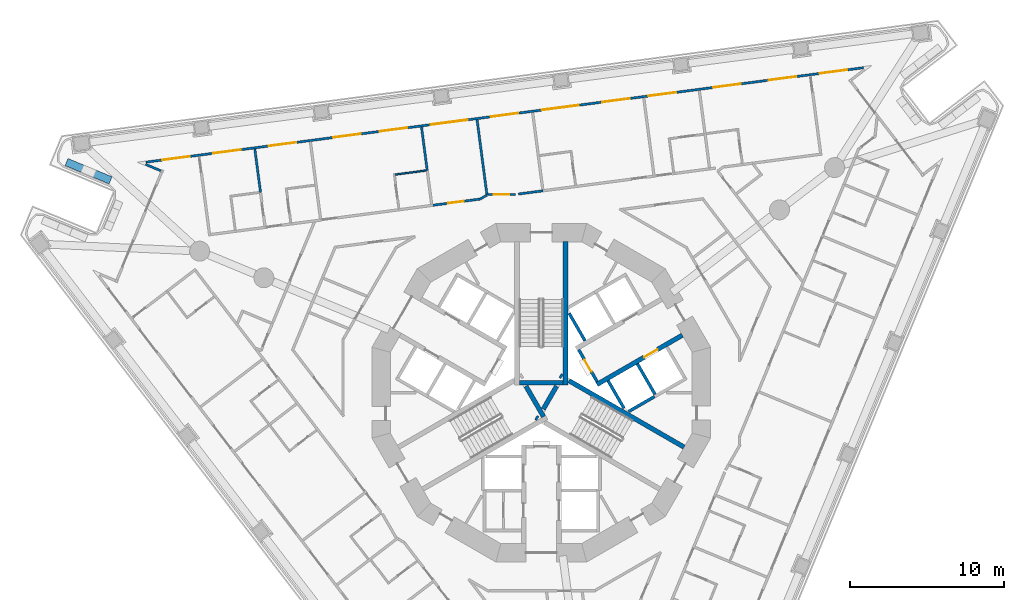
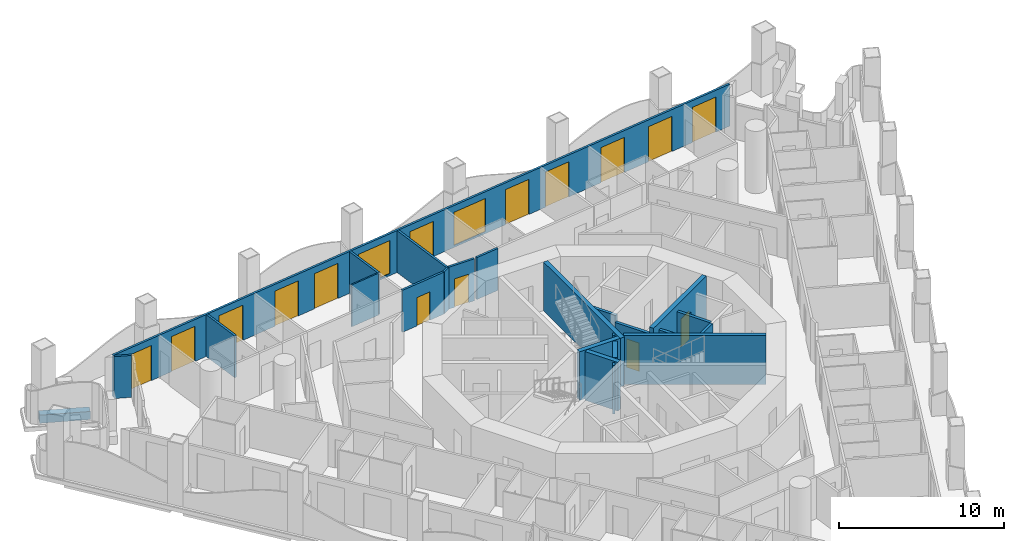
# One storey, part 8 of 19: 24 walls, 15 doors, 2 windows, 17 openings.
"""IFC4 building model written with IfcOpenShell, lengths in metres."""

import ifcopenshell
import ifcopenshell.guid

model = None  # the IFC model being written
_history = None  # IfcOwnerHistory: only IFC2X3 demands one
_inside = {}  # id of a spatial element -> (the spatial element, [elements in it])
_under = {}  # id of a project, library or spatial element -> (it, [spatial elements below it])
_declared = {}  # id of a project -> (the project, [libraries it declares])
_typed = {}  # id of a type object -> (the type object, [elements of that type])
_made_of = {}  # id of a material, layer set ... -> (it, [elements and type objects made of it])


def new_model(schema):
    """Start an empty IFC model of exactly this schema.

    Asked for "IFC4X3", IfcOpenShell would pick the latest addendum, in which some entities
    have other attributes; the version numbers below select the first issue.
    IFC2X3 requires an IfcOwnerHistory on every rooted entity: one is made here for all.
    """
    global model, _history
    if schema == "IFC4X3":
        model = ifcopenshell.file(schema_version=(4, 3, 0, 0))
    else:
        model = ifcopenshell.file(schema=schema)
    _inside.clear()
    _under.clear()
    _declared.clear()
    _typed.clear()
    _made_of.clear()
    _history = None
    if model.schema == "IFC2X3":
        org = make("IfcOrganization", Name="unknown")
        user = make(
            "IfcPersonAndOrganization",
            ThePerson=make("IfcPerson", FamilyName="unknown"),
            TheOrganization=org,
        )
        app = make(
            "IfcApplication",
            ApplicationDeveloper=org,
            Version="unknown",
            ApplicationFullName="unknown",
            ApplicationIdentifier="unknown",
        )
        _history = make(
            "IfcOwnerHistory",
            OwningUser=user,
            OwningApplication=app,
            ChangeAction="ADDED",
            CreationDate=0,
        )
    return model


def make(cls, **values):
    """One entity of the class cls with the attributes given. An attribute that is None is left unset."""
    return model.create_entity(
        cls, **{name: value for name, value in values.items() if value is not None}
    )


def rooted(cls, **values):
    """An entity with a GlobalId (a new one), such as an element, a storey or a relation."""
    return make(cls, GlobalId=ifcopenshell.guid.new(), OwnerHistory=_history, **values)


def si_unit(unit_type, name, prefix=None):
    """IfcSIUnit, for example si_unit("LENGTHUNIT", "METRE", prefix="MILLI")."""
    return make("IfcSIUnit", UnitType=unit_type, Prefix=prefix, Name=name)


def assignment(units):
    """IfcUnitAssignment: the units of a project."""
    return None if units is None else make("IfcUnitAssignment", Units=units)


def point(xyz):
    """IfcCartesianPoint."""
    return None if xyz is None else make("IfcCartesianPoint", Coordinates=xyz)


def direction(xyz):
    """IfcDirection."""
    return None if xyz is None else make("IfcDirection", DirectionRatios=xyz)


def frame(location, z_axis=None, x_axis=None):
    """IfcAxis2Placement3D, a coordinate frame: its origin and axes. An axis left out is left unset."""
    return make(
        "IfcAxis2Placement3D",
        Location=point(location),
        Axis=direction(z_axis),
        RefDirection=direction(x_axis),
    )


def frame_2d(location, x_axis=None):
    """IfcAxis2Placement2D, a coordinate frame in the plane: its origin and x axis."""
    return make(
        "IfcAxis2Placement2D", Location=point(location), RefDirection=direction(x_axis)
    )


def origin():
    """The frame at (0, 0, 0) with its axes left unset."""
    return frame((0.0, 0.0, 0.0))


def place(relative_to, where):
    """IfcLocalPlacement: puts the frame where relative to a parent placement (None: the world)."""
    return make(
        "IfcLocalPlacement", PlacementRelTo=relative_to, RelativePlacement=where
    )


def context(
    kind, dimensions, precision=None, world=None, true_north=None, identifier=None
):
    """IfcGeometricRepresentationContext, for example the 3D "Model" context."""
    return make(
        "IfcGeometricRepresentationContext",
        ContextIdentifier=identifier,
        ContextType=kind,
        CoordinateSpaceDimension=dimensions,
        Precision=precision,
        WorldCoordinateSystem=world,
        TrueNorth=true_north,
    )


def subcontext(parent, identifier, kind, view, scale=None):
    """IfcGeometricRepresentationSubContext, for example "Body" below "Model"."""
    return make(
        "IfcGeometricRepresentationSubContext",
        ContextIdentifier=identifier,
        ContextType=kind,
        ParentContext=parent,
        TargetScale=scale,
        TargetView=view,
    )


def project(units=None, contexts=None):
    """IfcProject with its units and contexts."""
    return rooted(
        "IfcProject",
        Name="project",
        RepresentationContexts=contexts,
        UnitsInContext=assignment(units),
    )


def spatial(cls, under=None, at=None, **own):
    """A site, building, storey or space (cls), placed at a placement, below another one or the project."""
    s = rooted(cls, ObjectPlacement=at, **own)
    if under is not None:
        _under.setdefault(under.id(), (under, []))[1].append(s)
    return s


def polyline(points):
    """IfcPolyline through the points."""
    return make("IfcPolyline", Points=[point(p) for p in points])


def profile(cls, at=None, kind="AREA", **sizes):
    """A parametric profile (cls). Its sizes go by their IFC names, for example OverallWidth=200.0."""
    return make(cls, ProfileType=kind, Position=at, **sizes)


def rectangle(**sizes):
    """IfcRectangleProfileDef."""
    return profile("IfcRectangleProfileDef", **sizes)


def outline(outer, holes=None, kind="AREA"):
    """IfcArbitraryClosedProfileDef: a profile drawn as a closed curve; with holes, ...WithVoids."""
    if holes is None:
        return make("IfcArbitraryClosedProfileDef", ProfileType=kind, OuterCurve=outer)
    return make(
        "IfcArbitraryProfileDefWithVoids",
        ProfileType=kind,
        OuterCurve=outer,
        InnerCurves=holes,
    )


def extrude(swept, where, along, depth):
    """IfcExtrudedAreaSolid: the profile swept, set in the frame where, extruded along a direction by depth."""
    return make(
        "IfcExtrudedAreaSolid",
        SweptArea=swept,
        Position=where,
        ExtrudedDirection=direction(along),
        Depth=depth,
    )


def shape(context_of_items, identifier, shape_type, items):
    """IfcShapeRepresentation: the items that make up one representation, for example the "Body"."""
    return make(
        "IfcShapeRepresentation",
        ContextOfItems=context_of_items,
        RepresentationIdentifier=identifier,
        RepresentationType=shape_type,
        Items=items,
    )


def material(Name=None, Category=None):
    """IfcMaterial."""
    return make("IfcMaterial", Name=Name, Category=Category)


def layer(
    of_material, thickness, ventilated=None, Name=None, Category=None, Priority=None
):
    """IfcMaterialLayer: one layer of a wall or slab, of a material (None: an air gap)."""
    return make(
        "IfcMaterialLayer",
        Material=of_material,
        LayerThickness=thickness,
        IsVentilated=ventilated,
        Name=Name,
        Category=Category,
        Priority=Priority,
    )


def layer_set(layers, Name=None):
    """IfcMaterialLayerSet."""
    return make("IfcMaterialLayerSet", MaterialLayers=layers, LayerSetName=Name)


def made_of(thing, what):
    """Note that an element or type object is made of a material, layer set ...; save() writes the relation."""
    if what is not None:
        _made_of.setdefault(what.id(), (what, []))[1].append(thing)
    return thing


def type_object(cls, material=None, **own):
    """A type object (cls), such as IfcWallType, which elements share."""
    return made_of(rooted(cls, **own), material)


def element(
    cls,
    number,
    at=None,
    inside=None,
    cuts=None,
    type_object=None,
    material=None,
    context=None,
    identifier="Body",
    shape_type=None,
    held_by="IfcProductDefinitionShape",
    body=None,
    shapes=None,
    **own,
):
    """One element of the class cls, such as IfcWall. Its Tag is "e" and its number.

    at: its placement. inside: the storey or other place that contains it. cuts: it is an
    opening in that element (IfcRelVoidsElement). A single representation is given by context,
    identifier, shape_type and body (its items); several are given by shapes. held_by: the class
    of the entity that holds the representations. save() writes the other relations.
    """
    e = rooted(cls, Tag="e%d" % number, ObjectPlacement=at, **own)
    if body is not None:
        shapes = [shape(context, identifier, shape_type, body)]
    if shapes is not None:
        e.Representation = make(held_by, Representations=shapes)
    if inside is not None:
        _inside.setdefault(inside.id(), (inside, []))[1].append(e)
    if cuts is not None:
        rooted(
            "IfcRelVoidsElement", RelatingBuildingElement=cuts, RelatedOpeningElement=e
        )
    if type_object is not None:
        _typed.setdefault(type_object.id(), (type_object, []))[1].append(e)
    return made_of(e, material)


def fill(opening, filler):
    """IfcRelFillsElement: the door or window that sits in an opening."""
    return rooted(
        "IfcRelFillsElement",
        RelatingOpeningElement=opening,
        RelatedBuildingElement=filler,
    )


def aggregate(whole, parts):
    """IfcRelAggregates: a whole, such as a stair, and the parts it consists of."""
    return rooted("IfcRelAggregates", RelatingObject=whole, RelatedObjects=parts)


def save(model, path):
    """Write the relations noted so far, then the file.

    IfcRelAggregates (storeys below a building ...), IfcRelContainedInSpatialStructure (elements
    in a storey), IfcRelDefinesByType, IfcRelAssociatesMaterial and IfcRelDeclares: one each for
    every whole, place, type object, material and project.
    """
    for whole, parts in _under.values():
        aggregate(whole, parts)
    for where, things in _inside.values():
        rooted(
            "IfcRelContainedInSpatialStructure",
            RelatedElements=things,
            RelatingStructure=where,
        )
    for kind, things in _typed.values():
        rooted("IfcRelDefinesByType", RelatedObjects=things, RelatingType=kind)
    for what, things in _made_of.values():
        rooted("IfcRelAssociatesMaterial", RelatedObjects=things, RelatingMaterial=what)
    for by, libraries in _declared.values():
        rooted("IfcRelDeclares", RelatingContext=by, RelatedDefinitions=libraries)
    model.write(path)


model = new_model("IFC4")

# Units and contexts
model_context = context("Model", 3, precision=1e-05, world=origin(), true_north=direction((0.0, 1.0)))
body_context = subcontext(model_context, "Body", "Model", "MODEL_VIEW")
ifc_project = project(units=[si_unit("LENGTHUNIT", "METRE"), si_unit("AREAUNIT", "SQUARE_METRE"), si_unit("VOLUMEUNIT", "CUBIC_METRE"), si_unit("PLANEANGLEUNIT", "RADIAN"), si_unit("MASSUNIT", "GRAM", prefix="KILO")], contexts=[model_context])

# Site, building, storey
site_placement = place(None, origin())
site = spatial("IfcSite", under=ifc_project, at=site_placement, CompositionType="ELEMENT")
building_placement = place(site_placement, origin())
building = spatial("IfcBuilding", under=site, at=building_placement, Name="Trine Commons Tower", CompositionType="ELEMENT")
storey_placement = place(building_placement, frame((0.0, 0.0, 79.199951171875)))
storey = spatial("IfcBuildingStorey", under=building, at=storey_placement, Name="L19", CompositionType="ELEMENT", Elevation=79.199951171875)

# Wall
ifc_material_1 = material(Name="Aluminium-framed insulated wall panel", Category="aluminium")
ifc_layer_1 = layer(ifc_material_1, 0.14990234375)
ifc_layer_set_1 = layer_set([ifc_layer_1], Name="Aluminium-framed insulated wall panel")
wall_type_1 = type_object("IfcWallType", Name="Glazed frame wall 150, EI 60", PredefinedType="SOLIDWALL", material=ifc_layer_set_1)
wall_1_placement = place(storey_placement, frame((55.376220703125, 76.883056640625, 0.0), z_axis=(0.0, 0.0, 1.0), x_axis=(-0.923901801611, 0.382629665579, 0.0)))
element("IfcWall", 1, at=wall_1_placement, inside=storey, type_object=wall_type_1, Name="Glazed frame wall R3", PredefinedType="SOLIDWALL", context=body_context, shape_type="SweptSolid", body=[
    extrude(outline(polyline([(0.110107421875, 0.074951171875), (0.110107421875, -0.074951171875), (1.19580078125, -0.074951171875), (1.19580078125, 0.074951171875), (0.110107421875, 0.074951171875)])), origin(), (0.0, 0.0, 1.0), 3.10009765625),
])

# Wall, openings, windows, doors
wall_2_placement = place(storey_placement, frame((54.142333984375, 77.464599609375, 0.0), z_axis=(0.0, 0.0, 1.0), x_axis=(0.991444696532, 0.130527444308, 0.0)))
wall_2 = element("IfcWall", 2, at=wall_2_placement, inside=storey, type_object=wall_type_1, Name="Glazed frame wall F1", PredefinedType="SOLIDWALL", context=body_context, shape_type="SweptSolid", body=[
    extrude(outline(polyline([(0.1494140625, 0.074951171875), (0.1494140625, -0.074951171875), (47.216796875, -0.074951171875), (47.216796875, 0.074951171875), (0.1494140625, 0.074951171875)])), origin(), (0.0, 0.0, 1.0), 3.10009765625),
])
opening_1_placement = place(wall_2_placement, frame((1.2216796875, 0.0, 0.0)))
opening_1 = element("IfcOpeningElement", 3, at=opening_1_placement, cuts=wall_2, Name="Opening BD-2F1-01", PredefinedType="OPENING", context=body_context, shape_type="SweptSolid", body=[
    extrude(rectangle(XDim=1.800048828125, YDim=2.60009765625, at=frame_2d((0.89990234375, 1.300048828125))), frame((0.0, 0.0849609375, 0.0), z_axis=(0.0, -1.0, 0.0), x_axis=(1.0, 0.0, 0.0)), (0.0, 0.0, 1.0), 0.169921875),
])
opening_2_placement = place(wall_2_placement, frame((4.5654296875, 0.0, 0.0)))
opening_2 = element("IfcOpeningElement", 4, at=opening_2_placement, cuts=wall_2, Name="Opening BD-2F1-02", PredefinedType="OPENING", context=body_context, shape_type="SweptSolid", body=[
    extrude(rectangle(XDim=1.800048828125, YDim=2.60009765625, at=frame_2d((0.89990234375, 1.300048828125))), frame((0.0, 0.0849609375, 0.0), z_axis=(0.0, -1.0, 0.0), x_axis=(1.0, 0.0, 0.0)), (0.0, 0.0, 1.0), 0.169921875),
])
opening_3_placement = place(wall_2_placement, frame((8.208984375, 0.0, 0.0)))
opening_3 = element("IfcOpeningElement", 5, at=opening_3_placement, cuts=wall_2, Name="Opening BD-2F1-03", PredefinedType="OPENING", context=body_context, shape_type="SweptSolid", body=[
    extrude(rectangle(XDim=1.800048828125, YDim=2.60009765625, at=frame_2d((0.89990234375, 1.300048828125))), frame((0.0, 0.0849609375, 0.0), z_axis=(0.0, -1.0, 0.0), x_axis=(1.0, 0.0, 0.0)), (0.0, 0.0, 1.0), 0.169921875),
])
opening_4_placement = place(wall_2_placement, frame((12.45263671875, 0.0, 0.0)))
opening_4 = element("IfcOpeningElement", 6, at=opening_4_placement, cuts=wall_2, Name="Opening BD-2F1-04", PredefinedType="OPENING", context=body_context, shape_type="SweptSolid", body=[
    extrude(rectangle(XDim=1.800048828125, YDim=2.60009765625, at=frame_2d((0.89990234375, 1.300048828125))), frame((0.0, 0.0849609375, 0.0), z_axis=(0.0, -1.0, 0.0), x_axis=(1.0, 0.0, 0.0)), (0.0, 0.0, 1.0), 0.169921875),
])
opening_5_placement = place(wall_2_placement, frame((15.49609375, 0.0, 0.0)))
opening_5 = element("IfcOpeningElement", 7, at=opening_5_placement, cuts=wall_2, Name="Opening BD-2F1-05", PredefinedType="OPENING", context=body_context, shape_type="SweptSolid", body=[
    extrude(rectangle(XDim=1.800048828125, YDim=2.60009765625, at=frame_2d((0.89990234375, 1.300048828125))), frame((0.0, 0.0849609375, 0.0), z_axis=(0.0, -1.0, 0.0), x_axis=(1.0, 0.0, 0.0)), (0.0, 0.0, 1.0), 0.169921875),
])
opening_6_placement = place(wall_2_placement, frame((18.83984375, 0.0, 0.14990234375)))
opening_6 = element("IfcOpeningElement", 8, at=opening_6_placement, cuts=wall_2, Name="Opening W-2F1-06", PredefinedType="OPENING", context=body_context, shape_type="SweptSolid", body=[
    extrude(rectangle(XDim=2.39990234375, YDim=2.449951171875, at=frame_2d((1.199951171875, 1.22509765625))), frame((0.0, 0.0849609375, 0.0), z_axis=(0.0, -1.0, 0.0), x_axis=(1.0, 0.0, 0.0)), (0.0, 0.0, 1.0), 0.169921875),
])
opening_7_placement = place(wall_2_placement, frame((22.783447265625, 0.0, 0.0)))
opening_7 = element("IfcOpeningElement", 9, at=opening_7_placement, cuts=wall_2, Name="Opening BD-2F1-07", PredefinedType="OPENING", context=body_context, shape_type="SweptSolid", body=[
    extrude(rectangle(XDim=1.800048828125, YDim=2.60009765625, at=frame_2d((0.89990234375, 1.300048828125))), frame((0.0, 0.0849609375, 0.0), z_axis=(0.0, -1.0, 0.0), x_axis=(1.0, 0.0, 0.0)), (0.0, 0.0, 1.0), 0.169921875),
])
opening_8_placement = place(wall_2_placement, frame((26.126953125, 0.0, 0.14990234375)))
opening_8 = element("IfcOpeningElement", 10, at=opening_8_placement, cuts=wall_2, Name="Opening W-2F1-08", PredefinedType="OPENING", context=body_context, shape_type="SweptSolid", body=[
    extrude(rectangle(XDim=2.39990234375, YDim=2.449951171875, at=frame_2d((1.199951171875, 1.22509765625))), frame((0.0, 0.0849609375, 0.0), z_axis=(0.0, -1.0, 0.0), x_axis=(1.0, 0.0, 0.0)), (0.0, 0.0, 1.0), 0.169921875),
])
opening_9_placement = place(wall_2_placement, frame((30.070556640625, 0.0, 0.0)))
opening_9 = element("IfcOpeningElement", 11, at=opening_9_placement, cuts=wall_2, Name="Opening BD-2F1-09", PredefinedType="OPENING", context=body_context, shape_type="SweptSolid", body=[
    extrude(rectangle(XDim=1.800048828125, YDim=2.60009765625, at=frame_2d((0.89990234375, 1.300048828125))), frame((0.0, 0.0849609375, 0.0), z_axis=(0.0, -1.0, 0.0), x_axis=(1.0, 0.0, 0.0)), (0.0, 0.0, 1.0), 0.169921875),
])
opening_10_placement = place(wall_2_placement, frame((33.1142578125, 0.0, 0.0)))
opening_10 = element("IfcOpeningElement", 12, at=opening_10_placement, cuts=wall_2, Name="Opening BD-2F1-10", PredefinedType="OPENING", context=body_context, shape_type="SweptSolid", body=[
    extrude(rectangle(XDim=1.800048828125, YDim=2.60009765625, at=frame_2d((0.89990234375, 1.300048828125))), frame((0.0, 0.0849609375, 0.0), z_axis=(0.0, -1.0, 0.0), x_axis=(1.0, 0.0, 0.0)), (0.0, 0.0, 1.0), 0.169921875),
])
opening_11_placement = place(wall_2_placement, frame((37.35791015625, 0.0, 0.0)))
opening_11 = element("IfcOpeningElement", 13, at=opening_11_placement, cuts=wall_2, Name="Opening BD-2F1-11", PredefinedType="OPENING", context=body_context, shape_type="SweptSolid", body=[
    extrude(rectangle(XDim=1.800048828125, YDim=2.60009765625, at=frame_2d((0.89990234375, 1.300048828125))), frame((0.0, 0.0849609375, 0.0), z_axis=(0.0, -1.0, 0.0), x_axis=(1.0, 0.0, 0.0)), (0.0, 0.0, 1.0), 0.169921875),
])
opening_12_placement = place(wall_2_placement, frame((41.00146484375, 0.0, 0.0)))
opening_12 = element("IfcOpeningElement", 14, at=opening_12_placement, cuts=wall_2, Name="Opening BD-2F1-12", PredefinedType="OPENING", context=body_context, shape_type="SweptSolid", body=[
    extrude(rectangle(XDim=1.800048828125, YDim=2.60009765625, at=frame_2d((0.89990234375, 1.300048828125))), frame((0.0, 0.0849609375, 0.0), z_axis=(0.0, -1.0, 0.0), x_axis=(1.0, 0.0, 0.0)), (0.0, 0.0, 1.0), 0.169921875),
])
opening_13_placement = place(wall_2_placement, frame((44.344970703125, 0.0, 0.0)))
opening_13 = element("IfcOpeningElement", 15, at=opening_13_placement, cuts=wall_2, Name="Opening BD-2F1-13", PredefinedType="OPENING", context=body_context, shape_type="SweptSolid", body=[
    extrude(rectangle(XDim=1.800048828125, YDim=2.60009765625, at=frame_2d((0.89990234375, 1.300048828125))), frame((0.0, 0.0849609375, 0.0), z_axis=(0.0, -1.0, 0.0), x_axis=(1.0, 0.0, 0.0)), (0.0, 0.0, 1.0), 0.169921875),
])
ifc_material_2 = material(Name="Anodised aluminium frame with double glazing", Category="aluminium")
window_type = type_object("IfcWindowType", Name="Fixed window 2400x2450", PartitioningType="SINGLE_PANEL", PredefinedType="WINDOW", material=ifc_material_2)
window_1_placement = place(opening_6_placement, origin())
window_1 = element("IfcWindow", 16, at=window_1_placement, inside=storey, type_object=window_type, Name="Window F1 6", OverallHeight=2.449951171875, OverallWidth=2.39990234375, PartitioningType="SINGLE_PANEL", PredefinedType="WINDOW", context=body_context, shape_type="SweptSolid", body=[
    extrude(rectangle(XDim=2.39990234375, YDim=2.449951171875, at=frame_2d((1.199951171875, 1.22509765625))), frame((0.0, 0.030029296875, 0.0), z_axis=(0.0, -1.0, 0.0), x_axis=(1.0, 0.0, 0.0)), (0.0, 0.0, 1.0), 0.06005859375),
])
fill(opening_6, window_1)
window_2_placement = place(opening_8_placement, origin())
window_2 = element("IfcWindow", 17, at=window_2_placement, inside=storey, type_object=window_type, Name="Window F1 8", OverallHeight=2.449951171875, OverallWidth=2.39990234375, PartitioningType="SINGLE_PANEL", PredefinedType="WINDOW", context=body_context, shape_type="SweptSolid", body=[
    extrude(rectangle(XDim=2.39990234375, YDim=2.449951171875, at=frame_2d((1.199951171875, 1.22509765625))), frame((0.0, 0.030029296875, 0.0), z_axis=(0.0, -1.0, 0.0), x_axis=(1.0, 0.0, 0.0)), (0.0, 0.0, 1.0), 0.06005859375),
])
fill(opening_8, window_2)
door_type_1 = type_object("IfcDoorType", Name="Sliding loggia door 1800x2600", OperationType="SLIDING_TO_LEFT", PredefinedType="DOOR", material=ifc_material_2)
door_1_placement = place(opening_1_placement, origin())
door_1 = element("IfcDoor", 18, at=door_1_placement, inside=storey, type_object=door_type_1, Name="Loggia door F1 1", OperationType="SLIDING_TO_LEFT", OverallHeight=2.60009765625, OverallWidth=1.800048828125, PredefinedType="DOOR", context=body_context, shape_type="SweptSolid", body=[
    extrude(rectangle(XDim=1.800048828125, YDim=2.60009765625, at=frame_2d((0.89990234375, 1.300048828125))), frame((0.0, 0.02490234375, 0.0), z_axis=(0.0, -1.0, 0.0), x_axis=(1.0, 0.0, 0.0)), (0.0, 0.0, 1.0), 0.050048828125),
])
fill(opening_1, door_1)
door_2_placement = place(opening_2_placement, origin())
door_2 = element("IfcDoor", 19, at=door_2_placement, inside=storey, type_object=door_type_1, Name="Loggia door F1 2", OperationType="SLIDING_TO_LEFT", OverallHeight=2.60009765625, OverallWidth=1.800048828125, PredefinedType="DOOR", context=body_context, shape_type="SweptSolid", body=[
    extrude(rectangle(XDim=1.800048828125, YDim=2.60009765625, at=frame_2d((0.89990234375, 1.300048828125))), frame((0.0, 0.02490234375, 0.0), z_axis=(0.0, -1.0, 0.0), x_axis=(1.0, 0.0, 0.0)), (0.0, 0.0, 1.0), 0.050048828125),
])
fill(opening_2, door_2)
door_3_placement = place(opening_3_placement, origin())
door_3 = element("IfcDoor", 20, at=door_3_placement, inside=storey, type_object=door_type_1, Name="Loggia door F1 3", OperationType="SLIDING_TO_LEFT", OverallHeight=2.60009765625, OverallWidth=1.800048828125, PredefinedType="DOOR", context=body_context, shape_type="SweptSolid", body=[
    extrude(rectangle(XDim=1.800048828125, YDim=2.60009765625, at=frame_2d((0.89990234375, 1.300048828125))), frame((0.0, 0.02490234375, 0.0), z_axis=(0.0, -1.0, 0.0), x_axis=(1.0, 0.0, 0.0)), (0.0, 0.0, 1.0), 0.050048828125),
])
fill(opening_3, door_3)
door_4_placement = place(opening_4_placement, origin())
door_4 = element("IfcDoor", 21, at=door_4_placement, inside=storey, type_object=door_type_1, Name="Loggia door F1 4", OperationType="SLIDING_TO_LEFT", OverallHeight=2.60009765625, OverallWidth=1.800048828125, PredefinedType="DOOR", context=body_context, shape_type="SweptSolid", body=[
    extrude(rectangle(XDim=1.800048828125, YDim=2.60009765625, at=frame_2d((0.89990234375, 1.300048828125))), frame((0.0, 0.02490234375, 0.0), z_axis=(0.0, -1.0, 0.0), x_axis=(1.0, 0.0, 0.0)), (0.0, 0.0, 1.0), 0.050048828125),
])
fill(opening_4, door_4)
door_5_placement = place(opening_5_placement, origin())
door_5 = element("IfcDoor", 22, at=door_5_placement, inside=storey, type_object=door_type_1, Name="Loggia door F1 5", OperationType="SLIDING_TO_LEFT", OverallHeight=2.60009765625, OverallWidth=1.800048828125, PredefinedType="DOOR", context=body_context, shape_type="SweptSolid", body=[
    extrude(rectangle(XDim=1.800048828125, YDim=2.60009765625, at=frame_2d((0.89990234375, 1.300048828125))), frame((0.0, 0.02490234375, 0.0), z_axis=(0.0, -1.0, 0.0), x_axis=(1.0, 0.0, 0.0)), (0.0, 0.0, 1.0), 0.050048828125),
])
fill(opening_5, door_5)
door_6_placement = place(opening_7_placement, origin())
door_6 = element("IfcDoor", 23, at=door_6_placement, inside=storey, type_object=door_type_1, Name="Loggia door F1 7", OperationType="SLIDING_TO_LEFT", OverallHeight=2.60009765625, OverallWidth=1.800048828125, PredefinedType="DOOR", context=body_context, shape_type="SweptSolid", body=[
    extrude(rectangle(XDim=1.800048828125, YDim=2.60009765625, at=frame_2d((0.89990234375, 1.300048828125))), frame((0.0, 0.02490234375, 0.0), z_axis=(0.0, -1.0, 0.0), x_axis=(1.0, 0.0, 0.0)), (0.0, 0.0, 1.0), 0.050048828125),
])
fill(opening_7, door_6)
door_7_placement = place(opening_9_placement, origin())
door_7 = element("IfcDoor", 24, at=door_7_placement, inside=storey, type_object=door_type_1, Name="Loggia door F1 9", OperationType="SLIDING_TO_LEFT", OverallHeight=2.60009765625, OverallWidth=1.800048828125, PredefinedType="DOOR", context=body_context, shape_type="SweptSolid", body=[
    extrude(rectangle(XDim=1.800048828125, YDim=2.60009765625, at=frame_2d((0.89990234375, 1.300048828125))), frame((0.0, 0.02490234375, 0.0), z_axis=(0.0, -1.0, 0.0), x_axis=(1.0, 0.0, 0.0)), (0.0, 0.0, 1.0), 0.050048828125),
])
fill(opening_9, door_7)
door_8_placement = place(opening_10_placement, origin())
door_8 = element("IfcDoor", 25, at=door_8_placement, inside=storey, type_object=door_type_1, Name="Loggia door F1 10", OperationType="SLIDING_TO_LEFT", OverallHeight=2.60009765625, OverallWidth=1.800048828125, PredefinedType="DOOR", context=body_context, shape_type="SweptSolid", body=[
    extrude(rectangle(XDim=1.800048828125, YDim=2.60009765625, at=frame_2d((0.89990234375, 1.300048828125))), frame((0.0, 0.02490234375, 0.0), z_axis=(0.0, -1.0, 0.0), x_axis=(1.0, 0.0, 0.0)), (0.0, 0.0, 1.0), 0.050048828125),
])
fill(opening_10, door_8)
door_9_placement = place(opening_11_placement, origin())
door_9 = element("IfcDoor", 26, at=door_9_placement, inside=storey, type_object=door_type_1, Name="Loggia door F1 11", OperationType="SLIDING_TO_LEFT", OverallHeight=2.60009765625, OverallWidth=1.800048828125, PredefinedType="DOOR", context=body_context, shape_type="SweptSolid", body=[
    extrude(rectangle(XDim=1.800048828125, YDim=2.60009765625, at=frame_2d((0.89990234375, 1.300048828125))), frame((0.0, 0.02490234375, 0.0), z_axis=(0.0, -1.0, 0.0), x_axis=(1.0, 0.0, 0.0)), (0.0, 0.0, 1.0), 0.050048828125),
])
fill(opening_11, door_9)
door_10_placement = place(opening_12_placement, origin())
door_10 = element("IfcDoor", 27, at=door_10_placement, inside=storey, type_object=door_type_1, Name="Loggia door F1 12", OperationType="SLIDING_TO_LEFT", OverallHeight=2.60009765625, OverallWidth=1.800048828125, PredefinedType="DOOR", context=body_context, shape_type="SweptSolid", body=[
    extrude(rectangle(XDim=1.800048828125, YDim=2.60009765625, at=frame_2d((0.89990234375, 1.300048828125))), frame((0.0, 0.02490234375, 0.0), z_axis=(0.0, -1.0, 0.0), x_axis=(1.0, 0.0, 0.0)), (0.0, 0.0, 1.0), 0.050048828125),
])
fill(opening_12, door_10)
door_11_placement = place(opening_13_placement, origin())
door_11 = element("IfcDoor", 28, at=door_11_placement, inside=storey, type_object=door_type_1, Name="Loggia door F1 13", OperationType="SLIDING_TO_LEFT", OverallHeight=2.60009765625, OverallWidth=1.800048828125, PredefinedType="DOOR", context=body_context, shape_type="SweptSolid", body=[
    extrude(rectangle(XDim=1.800048828125, YDim=2.60009765625, at=frame_2d((0.89990234375, 1.300048828125))), frame((0.0, 0.02490234375, 0.0), z_axis=(0.0, -1.0, 0.0), x_axis=(1.0, 0.0, 0.0)), (0.0, 0.0, 1.0), 0.050048828125),
])
fill(opening_13, door_11)

# Wall, opening, door
ifc_material_3 = material(Name="Fire-rated gypsum shaft wall system")
ifc_layer_2 = layer(ifc_material_3, 0.199951171875)
ifc_layer_set_2 = layer_set([ifc_layer_2], Name="Fire-rated gypsum shaft wall system")
wall_type_2 = type_object("IfcWallType", Name="Lobby end wall 200 mm, EI 120", PredefinedType="PARTITIONING", material=ifc_layer_set_2)
wall_3_placement = place(storey_placement, frame((83.631103515625, 63.2109375, 0.0), z_axis=(0.0, 0.0, 1.0), x_axis=(-0.50012165622, 0.865955154139, 0.0)))
wall_3 = element("IfcWall", 29, at=wall_3_placement, inside=storey, type_object=wall_type_2, Name="Lobby end wall L19", PredefinedType="PARTITIONING", context=body_context, shape_type="SweptSolid", body=[
    extrude(rectangle(XDim=2.39990234375, YDim=0.199951171875, at=frame_2d((1.199951171875, 0.0))), origin(), (0.0, 0.0, 1.0), 3.10009765625),
])
opening_14_placement = place(wall_3_placement, frame((0.749755859375, 0.0, 0.0)))
opening_14 = element("IfcOpeningElement", 30, at=opening_14_placement, cuts=wall_3, Name="Opening K06.05", PredefinedType="OPENING", context=body_context, shape_type="SweptSolid", body=[
    extrude(rectangle(XDim=0.89990234375, YDim=2.10009765625, at=frame_2d((0.449951171875, 1.050048828125))), frame((0.0, 0.10986328125, 0.0), z_axis=(0.0, -1.0, 0.0), x_axis=(1.0, 0.0, 0.0)), (0.0, 0.0, 1.0), 0.219970703125),
])
ifc_material_4 = material(Name="Steel door leaf, fire-rated", Category="steel")
door_type_2 = type_object("IfcDoorType", Name="Riser access door, single leaf 900 x 2100, FD60", OperationType="SINGLE_SWING_LEFT", PredefinedType="DOOR", material=ifc_material_4)
door_12_placement = place(opening_14_placement, frame((0.89990234375, 0.0, 0.0), z_axis=(0.0, 0.0, 1.0), x_axis=(-1.0, 0.0, 0.0)))
door_12 = element("IfcDoor", 31, at=door_12_placement, inside=storey, type_object=door_type_2, Name="Riser door, Electrical riser L19", OperationType="SINGLE_SWING_LEFT", OverallHeight=2.10009765625, OverallWidth=0.89990234375, PredefinedType="DOOR", context=body_context, shape_type="SweptSolid", body=[
    extrude(rectangle(XDim=0.89990234375, YDim=2.10009765625, at=frame_2d((0.449951171875, 1.050048828125))), frame((0.0, 0.02490234375, 0.0), z_axis=(0.0, -1.0, 0.0), x_axis=(1.0, 0.0, 0.0)), (0.0, 0.0, 1.0), 0.050048828125),
])
fill(opening_14, door_12)

# Wall
ifc_material_5 = material(Name="Planter trough, precast concrete C40/50", Category="concrete")
ifc_layer_3 = layer(ifc_material_5, 0.5)
ifc_layer_set_3 = layer_set([ifc_layer_3], Name="Planter trough, precast concrete C40/50")
wall_type_3 = type_object("IfcWallType", Name="Planter trough 500x600", PredefinedType="PARAPET", material=ifc_layer_set_3)
wall_4_placement = place(storey_placement, frame((51.99853515625, 76.306640625, 0.0), z_axis=(0.0, 0.0, 1.0), x_axis=(-0.923883411188, 0.382674068277, 0.0)))
element("IfcWall", 32, at=wall_4_placement, inside=storey, type_object=wall_type_3, Name="Planter 3", PredefinedType="PARAPET", context=body_context, shape_type="SweptSolid", body=[
    extrude(rectangle(XDim=3.099853515625, YDim=0.5, at=frame_2d((1.5498046875, 0.0))), origin(), (0.0, 0.0, 1.0), 0.60009765625),
])

# Wall, opening, door
ifc_material_6 = material(Name="Concrete C80/95", Category="concrete")
ifc_layer_4 = layer(ifc_material_6, 0.300048828125)
ifc_layer_set_4 = layer_set([ifc_layer_4], Name="Concrete C80/95")
wall_type_4 = type_object("IfcWallType", Name="RC shear wall 300 mm, C80/95", PredefinedType="SHEAR", material=ifc_layer_set_4)
wall_5_placement = place(storey_placement, frame((83.618896484375, 63.031005859375, 0.0), z_axis=(0.0, 0.0, 1.0), x_axis=(0.866032150378, 0.499988314375, 0.0)))
wall_5 = element("IfcWall", 33, at=wall_5_placement, inside=storey, type_object=wall_type_4, Name="Core cross wall SWA-06 L19", PredefinedType="SHEAR", context=body_context, shape_type="SweptSolid", body=[
    extrude(rectangle(XDim=6.412353515625, YDim=0.300048828125, at=frame_2d((3.2060546875, 0.0))), origin(), (0.0, 0.0, 1.0), 3.60009765625),
])
opening_15_placement = place(wall_5_placement, frame((3.55029296875, 0.0, 0.0)))
opening_15 = element("IfcOpeningElement", 34, at=opening_15_placement, cuts=wall_5, Name="Opening LD2", PredefinedType="OPENING", context=body_context, shape_type="SweptSolid", body=[
    extrude(rectangle(XDim=1.0, YDim=2.10009765625, at=frame_2d((0.5, 1.050048828125))), frame((0.0, 0.159912109375, 0.0), z_axis=(0.0, -1.0, 0.0), x_axis=(1.0, 0.0, 0.0)), (0.0, 0.0, 1.0), 0.320068359375),
])
ifc_material_7 = material(Name="Stainless steel sliding door leaves", Category="steel")
door_type_3 = type_object("IfcDoorType", Name="Lift landing door, centre-opening sliding 1000 x 2100, FD90", OperationType="DOUBLE_DOOR_SLIDING", PredefinedType="DOOR", material=ifc_material_7)
door_13_placement = place(opening_15_placement, origin())
door_13 = element("IfcDoor", 35, at=door_13_placement, inside=storey, type_object=door_type_3, Name="Lift landing door LR2 L19", OperationType="DOUBLE_DOOR_SLIDING", OverallHeight=2.10009765625, OverallWidth=1.0, PredefinedType="DOOR", context=body_context, shape_type="SweptSolid", body=[
    extrude(rectangle(XDim=1.0, YDim=2.10009765625, at=frame_2d((0.5, 1.050048828125))), frame((0.0, 0.02490234375, 0.0), z_axis=(0.0, -1.0, 0.0), x_axis=(1.0, 0.0, 0.0)), (0.0, 0.0, 1.0), 0.050048828125),
])
fill(opening_15, door_13)

# Walls
wall_6_placement = place(storey_placement, frame((79.0029296875, 62.926025390625, 0.0), z_axis=(0.0, 0.0, 1.0), x_axis=(0.499965247104, -0.866045467449, 0.0)))
element("IfcWall", 36, at=wall_6_placement, inside=storey, type_object=wall_type_4, Name="Core cross wall SWA-10 L19", PredefinedType="SHEAR", context=body_context, shape_type="SweptSolid", body=[
    extrude(rectangle(XDim=2.292236328125, YDim=0.300048828125, at=frame_2d((1.14599609375, 0.0))), origin(), (0.0, 0.0, 1.0), 3.60009765625),
])
wall_7_placement = place(storey_placement, frame((79.64599609375, 60.885986328125, 0.0), z_axis=(0.0, 0.0, 1.0), x_axis=(0.867331893649, -0.497730234424, 0.0)))
element("IfcWall", 37, at=wall_7_placement, inside=storey, type_object=wall_type_4, Name="Core cross wall SWA-11 L19", PredefinedType="SHEAR", context=body_context, shape_type="SweptSolid", body=[
    extrude(rectangle(XDim=0.148681640625, YDim=0.300048828125, at=frame_2d((0.07421875, 0.0))), origin(), (0.0, 0.0, 1.0), 3.60009765625),
])
wall_8_placement = place(storey_placement, frame((80.1298828125, 61.424072265625, 0.0), z_axis=(0.0, 0.0, 1.0), x_axis=(0.500014901547, 0.866016800201, 0.0)))
element("IfcWall", 38, at=wall_8_placement, inside=storey, type_object=wall_type_4, Name="Core cross wall SWA-12 L19", PredefinedType="SHEAR", context=body_context, shape_type="SweptSolid", body=[
    extrude(rectangle(XDim=1.734375, YDim=0.300048828125, at=frame_2d((0.8671875, 0.0))), origin(), (0.0, 0.0, 1.0), 3.60009765625),
])
wall_9_placement = place(storey_placement, frame((81.220947265625, 63.614013671875, 0.0), z_axis=(0.0, 0.0, 1.0), x_axis=(0.867737973955, -0.497021939713, 0.0)))
element("IfcWall", 39, at=wall_9_placement, inside=storey, type_object=wall_type_4, Name="Core cross wall SWA-15 L19", PredefinedType="SHEAR", context=body_context, shape_type="SweptSolid", body=[
    extrude(rectangle(XDim=0.14892578125, YDim=0.300048828125, at=frame_2d((0.074462890625, 0.0))), origin(), (0.0, 0.0, 1.0), 3.60009765625),
])
wall_10_placement = place(storey_placement, frame((81.425048828125, 63.15087890625, 0.0), z_axis=(0.0, 0.0, 1.0), x_axis=(-1.0, 0.0, 0.0)))
element("IfcWall", 40, at=wall_10_placement, inside=storey, type_object=wall_type_4, Name="Core cross wall SWA-16 L19", PredefinedType="SHEAR", context=body_context, shape_type="SweptSolid", body=[
    extrude(rectangle(XDim=2.85009765625, YDim=0.300048828125, at=frame_2d((1.425048828125, 0.0))), origin(), (0.0, 0.0, 1.0), 3.60009765625),
])
wall_11_placement = place(storey_placement, frame((81.574951171875, 63.0009765625, 0.0), z_axis=(0.0, 0.0, 1.0), x_axis=(0.0, 1.0, 0.0)))
element("IfcWall", 41, at=wall_11_placement, inside=storey, type_object=wall_type_4, Name="Core cross wall SWA-17 L19", PredefinedType="SHEAR", context=body_context, shape_type="SweptSolid", body=[
    extrude(rectangle(XDim=9.31103515625, YDim=0.300048828125, at=frame_2d((4.655517578125, 0.0))), origin(), (0.0, 0.0, 1.0), 3.60009765625),
])
wall_12_placement = place(storey_placement, frame((81.800048828125, 63.280029296875, 0.0), z_axis=(0.0, 0.0, 1.0), x_axis=(0.865965399159, -0.500103916661, 0.0)))
element("IfcWall", 42, at=wall_12_placement, inside=storey, type_object=wall_type_4, Name="Core cross wall SWA-18 L19", PredefinedType="SHEAR", context=body_context, shape_type="SweptSolid", body=[
    extrude(rectangle(XDim=8.642333984375, YDim=0.300048828125, at=frame_2d((4.3212890625, 0.0))), origin(), (0.0, 0.0, 1.0), 3.60009765625),
])
ifc_layer_5 = layer(ifc_material_3, 0.199951171875)
ifc_layer_set_5 = layer_set([ifc_layer_5], Name="Fire-rated gypsum shaft wall system")
wall_type_5 = type_object("IfcWallType", Name="Shaft wall 200 mm, EI 120", PredefinedType="PARTITIONING", material=ifc_layer_set_5)
wall_13_placement = place(storey_placement, frame((82.843994140625, 65.8740234375, 0.0), z_axis=(0.0, 0.0, 1.0), x_axis=(-0.499865770674, 0.866102887253, 0.0)))
element("IfcWall", 43, at=wall_13_placement, inside=storey, type_object=wall_type_5, Name="Shaft wall L19", PredefinedType="PARTITIONING", context=body_context, shape_type="SweptSolid", body=[
    extrude(rectangle(XDim=2.064453125, YDim=0.199951171875, at=frame_2d((1.0322265625, 0.0))), origin(), (0.0, 0.0, 1.0), 3.10009765625),
])
wall_14_placement = place(storey_placement, frame((84.343994140625, 63.27587890625, 0.0), z_axis=(0.0, 0.0, 1.0), x_axis=(0.500271688072, -0.86586848777, 0.0)))
element("IfcWall", 44, at=wall_14_placement, inside=storey, type_object=wall_type_5, Name="Shaft wall L19", PredefinedType="PARTITIONING", context=body_context, shape_type="SweptSolid", body=[
    extrude(rectangle(XDim=2.064697265625, YDim=0.199951171875, at=frame_2d((1.0322265625, 0.0))), origin(), (0.0, 0.0, 1.0), 3.10009765625),
])
wall_15_placement = place(storey_placement, frame((85.675048828125, 61.27294921875, 0.0), z_axis=(0.0, 0.0, 1.0), x_axis=(0.865780634835, 0.500423712812, 0.0)))
element("IfcWall", 45, at=wall_15_placement, inside=storey, type_object=wall_type_5, Name="Shaft wall L19", PredefinedType="PARTITIONING", context=body_context, shape_type="SweptSolid", body=[
    extrude(rectangle(XDim=1.948486328125, YDim=0.199951171875, at=frame_2d((0.97412109375, 0.0))), origin(), (0.0, 0.0, 1.0), 3.10009765625),
])
wall_16_placement = place(storey_placement, frame((86.2490234375, 64.3759765625, 0.0), z_axis=(0.0, 0.0, 1.0), x_axis=(0.500136062276, -0.86594683394, 0.0)))
element("IfcWall", 46, at=wall_16_placement, inside=storey, type_object=wall_type_5, Name="Shaft wall L19", PredefinedType="PARTITIONING", context=body_context, shape_type="SweptSolid", body=[
    extrude(rectangle(XDim=2.299072265625, YDim=0.199951171875, at=frame_2d((1.1494140625, 0.0))), origin(), (0.0, 0.0, 1.0), 3.10009765625),
])
ifc_material_8 = material(Name="Gypsum plasterboard on steel stud", Category="steel")
ifc_layer_6 = layer(ifc_material_8, 0.14990234375)
ifc_layer_set_6 = layer_set([ifc_layer_6], Name="Gypsum plasterboard on steel stud")
wall_type_6 = type_object("IfcWallType", Name="Unit and corridor wall 150 mm, EI 60", PredefinedType="PARTITIONING", material=ifc_layer_set_6)
for number, where, z_axis, x_axis, name in (
    (47, (61.377197265625, 78.34130859375, 0.0), (0.0, 0.0, 1.0), (0.130648074846, -0.9914288076, 0.0), "Partition 017"),
    (48, (72.214111328125, 79.768310546875, 0.0), (0.0, 0.0, 1.0), (0.130648074846, -0.9914288076, 0.0), "Partition 056"),
):
    element("IfcWall", number, at=place(storey_placement, frame(where, z_axis=z_axis, x_axis=x_axis)), inside=storey, type_object=wall_type_6, Name=name, PredefinedType="PARTITIONING", context=body_context, shape_type="SweptSolid", body=[
        extrude(rectangle(XDim=2.838623046875, YDim=0.14990234375, at=frame_2d((1.41943359375, 0.0))), origin(), (0.0, 0.0, 1.0), 3.10009765625),
    ])

# Wall, opening, door
wall_17_placement = place(storey_placement, frame((72.881103515625, 74.673095703125, 0.0), z_axis=(0.0, 0.0, 1.0), x_axis=(0.991447742753, 0.130504304105, 0.0)))
wall_17 = element("IfcWall", 49, at=wall_17_placement, inside=storey, type_object=wall_type_6, Name="Partition 058", PredefinedType="PARTITIONING", context=body_context, shape_type="SweptSolid", body=[
    extrude(rectangle(XDim=3.1708984375, YDim=0.14990234375, at=frame_2d((1.58544921875, 0.0))), origin(), (0.0, 0.0, 1.0), 3.10009765625),
])
opening_16_placement = place(wall_17_placement, frame((1.087646484375, 0.0, 0.0)))
opening_16 = element("IfcOpeningElement", 50, at=opening_16_placement, cuts=wall_17, Name="Opening D-2C10", PredefinedType="OPENING", context=body_context, shape_type="SweptSolid", body=[
    extrude(rectangle(XDim=1.0, YDim=2.10009765625, at=frame_2d((0.5, 1.050048828125))), frame((0.0, 0.0849609375, 0.0), z_axis=(0.0, -1.0, 0.0), x_axis=(1.0, 0.0, 0.0)), (0.0, 0.0, 1.0), 0.169921875),
])
ifc_material_9 = material(Name="Painted timber", Category="wood")
door_type_4 = type_object("IfcDoorType", Name="Toilet door 1000 x 2100, NOT RATED", OperationType="NOTDEFINED", PredefinedType="DOOR", material=ifc_material_9)
door_14_placement = place(opening_16_placement, origin())
door_14 = element("IfcDoor", 51, at=door_14_placement, inside=storey, type_object=door_type_4, Name="Door D-2C10", OperationType="SINGLE_SWING_RIGHT", OverallHeight=2.10009765625, OverallWidth=1.0, PredefinedType="DOOR", context=body_context, shape_type="SweptSolid", body=[
    extrude(rectangle(XDim=1.0, YDim=2.10009765625, at=frame_2d((0.5, 1.050048828125))), frame((0.0, 0.02490234375, 0.0), z_axis=(0.0, -1.0, 0.0), x_axis=(1.0, 0.0, 0.0)), (0.0, 0.0, 1.0), 0.050048828125),
])
fill(opening_16, door_14)

# Walls
wall_18_placement = place(storey_placement, frame((75.8271484375, 80.244384765625, 0.0), z_axis=(0.0, 0.0, 1.0), x_axis=(0.130426407647, -0.991457993154, 0.0)))
element("IfcWall", 52, at=wall_18_placement, inside=storey, type_object=wall_type_6, Name="Partition 066", PredefinedType="PARTITIONING", context=body_context, shape_type="SweptSolid", body=[
    extrude(rectangle(XDim=4.943603515625, YDim=0.14990234375, at=frame_2d((2.4716796875, 0.0))), origin(), (0.0, 0.0, 1.0), 3.10009765625),
])
wall_19_placement = place(storey_placement, frame((76.01806640625, 75.08203125, 0.0), z_axis=(0.0, 0.0, 1.0), x_axis=(0.866446896963, 0.499269240734, 0.0)))
element("IfcWall", 53, at=wall_19_placement, inside=storey, type_object=wall_type_6, Name="Partition 067", PredefinedType="PARTITIONING", context=body_context, shape_type="SweptSolid", body=[
    extrude(rectangle(XDim=0.528564453125, YDim=0.14990234375, at=frame_2d((0.26416015625, 0.0))), origin(), (0.0, 0.0, 1.0), 3.10009765625),
])

# Wall, opening, door
wall_20_placement = place(storey_placement, frame((76.547119140625, 75.386962890625, 0.0), z_axis=(0.0, 0.0, 1.0), x_axis=(1.0, 0.0, 0.0)))
wall_20 = element("IfcWall", 54, at=wall_20_placement, inside=storey, type_object=wall_type_6, Name="Partition 069", PredefinedType="PARTITIONING", context=body_context, shape_type="SweptSolid", body=[
    extrude(rectangle(XDim=1.788818359375, YDim=0.14990234375, at=frame_2d((0.89453125, 0.0))), origin(), (0.0, 0.0, 1.0), 3.10009765625),
])
opening_17_placement = place(wall_20_placement, frame((0.3779296875, 0.0, 0.0)))
opening_17 = element("IfcOpeningElement", 55, at=opening_17_placement, cuts=wall_20, Name="Opening D-2C11", PredefinedType="OPENING", context=body_context, shape_type="SweptSolid", body=[
    extrude(rectangle(XDim=1.0, YDim=2.10009765625, at=frame_2d((0.5, 1.050048828125))), frame((0.0, 0.0849609375, 0.0), z_axis=(0.0, -1.0, 0.0), x_axis=(1.0, 0.0, 0.0)), (0.0, 0.0, 1.0), 0.169921875),
])
door_type_5 = type_object("IfcDoorType", Name="Amenity room door 1000 x 2100, NOT RATED", OperationType="NOTDEFINED", PredefinedType="DOOR", material=ifc_material_9)
door_15_placement = place(opening_17_placement, origin())
door_15 = element("IfcDoor", 56, at=door_15_placement, inside=storey, type_object=door_type_5, Name="Door D-2C11", OperationType="SINGLE_SWING_LEFT", OverallHeight=2.10009765625, OverallWidth=1.0, PredefinedType="DOOR", context=body_context, shape_type="SweptSolid", body=[
    extrude(rectangle(XDim=1.0, YDim=2.10009765625, at=frame_2d((0.5, 1.050048828125))), frame((0.0, 0.02490234375, 0.0), z_axis=(0.0, -1.0, 0.0), x_axis=(1.0, 0.0, 0.0)), (0.0, 0.0, 1.0), 0.050048828125),
])
fill(opening_17, door_15)

# Walls
wall_21_placement = place(storey_placement, frame((78.508056640625, 75.4130859375, 0.0), z_axis=(0.0, 0.0, 1.0), x_axis=(0.991484025307, 0.13022836696, 0.0)))
element("IfcWall", 57, at=wall_21_placement, inside=storey, type_object=wall_type_6, Name="Partition 073", PredefinedType="PARTITIONING", context=body_context, shape_type="SweptSolid", body=[
    extrude(rectangle(XDim=1.61962890625, YDim=0.14990234375, at=frame_2d((0.809814453125, 0.0))), origin(), (0.0, 0.0, 1.0), 3.10009765625),
])
ifc_layer_7 = layer(ifc_material_8, 0.10009765625)
ifc_layer_set_7 = layer_set([ifc_layer_7], Name="Gypsum plasterboard on steel stud")
wall_type_7 = type_object("IfcWallType", Name="Unit partition 100 mm, no rating", PredefinedType="PARTITIONING", material=ifc_layer_set_7)
wall_22_placement = place(storey_placement, frame((70.502685546875, 76.679443359375, 0.0), z_axis=(0.0, 0.0, 1.0), x_axis=(0.991424726931, 0.130679037451, 0.0)))
element("IfcWall", 58, at=wall_22_placement, inside=storey, type_object=wall_type_7, Name="Partition 050", PredefinedType="PARTITIONING", context=body_context, shape_type="SweptSolid", body=[
    extrude(rectangle(XDim=2.025146484375, YDim=0.10009765625, at=frame_2d((1.0126953125, 0.0))), origin(), (0.0, 0.0, 1.0), 3.10009765625),
])

save(model, "model.ifc")
